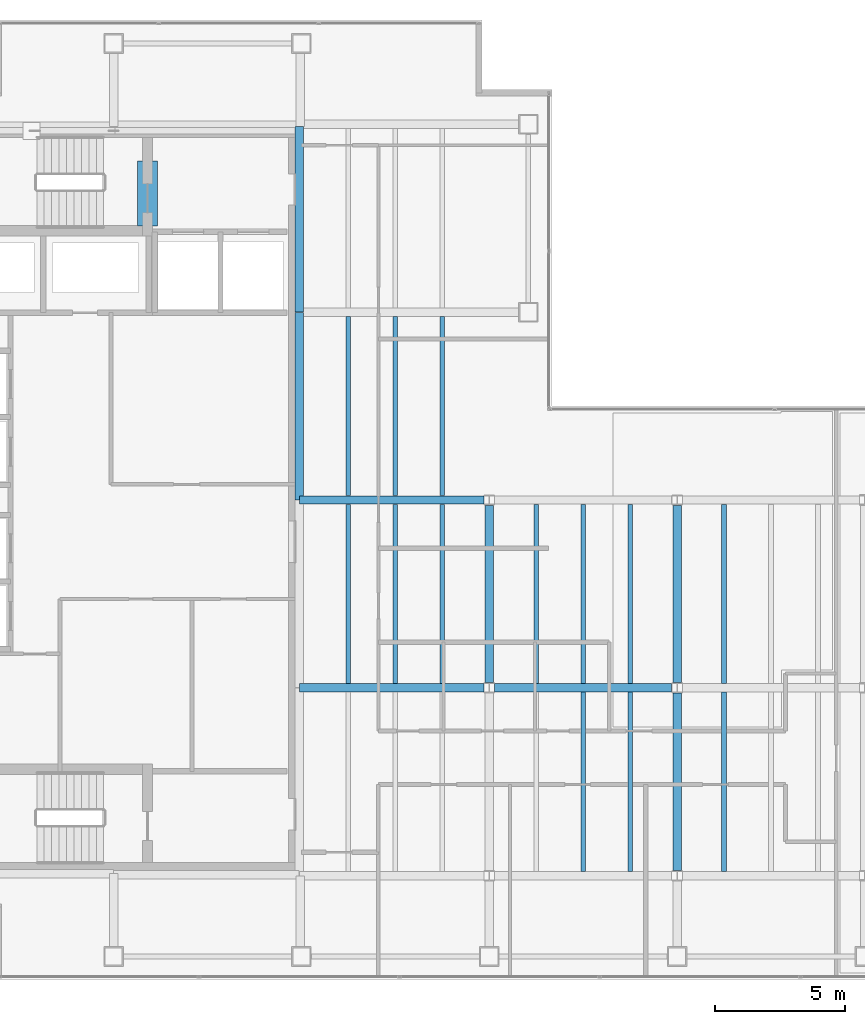
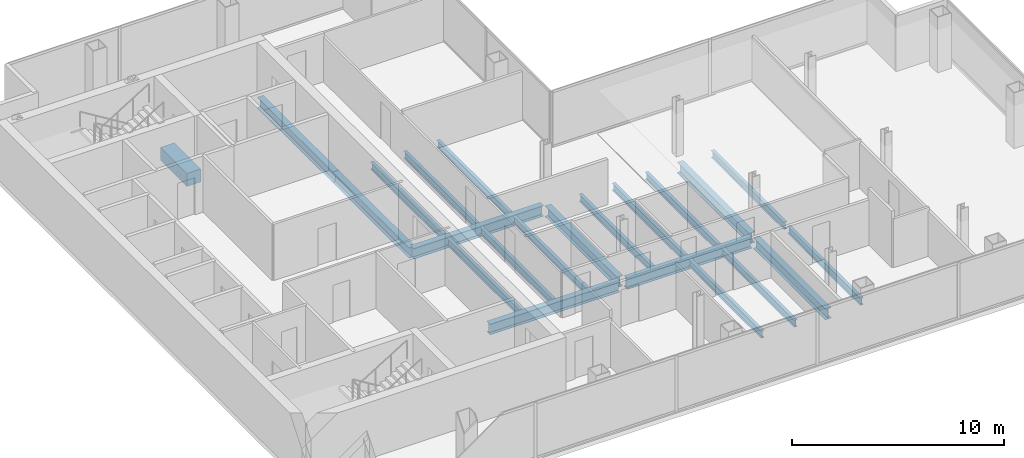
# One storey, part 7 of 23: 22 beams.
"""IFC4 building model written with IfcOpenShell, lengths in metres."""

from ifc_helpers import new_model, si_unit, direction, frame, origin, origin_2d, place, context, subcontext, project, spatial, rectangle, i_section, extrude, material, material_profile, profile_set, type_object, element, save


model = new_model("IFC4")

# Units and contexts
model_context = context("Model", 3, precision=1e-05, world=origin(), true_north=direction((0.0, 1.0)))
body_context = subcontext(model_context, "Body", "Model", "MODEL_VIEW")
ifc_project = project(units=[si_unit("LENGTHUNIT", "METRE"), si_unit("AREAUNIT", "SQUARE_METRE"), si_unit("VOLUMEUNIT", "CUBIC_METRE"), si_unit("PLANEANGLEUNIT", "RADIAN"), si_unit("MASSUNIT", "GRAM", prefix="KILO")], contexts=[model_context])

# Site, building, storey
site_placement = place(None, origin())
site = spatial("IfcSite", under=ifc_project, at=site_placement, CompositionType="ELEMENT")
building_placement = place(site_placement, origin())
building = spatial("IfcBuilding", under=site, at=building_placement, Name="Cobrela Telecom Tower", CompositionType="ELEMENT")
storey_placement = place(building_placement, frame((0.0, 0.0, 218.75)))
storey = spatial("IfcBuildingStorey", under=building, at=storey_placement, Name="L56", CompositionType="ELEMENT", Elevation=218.75)

# Beams
ifc_material_1 = material(Name="Concrete C40/50", Category="concrete")
ifc_material_profile_1 = material_profile(ifc_material_1, rectangle(XDim=0.75, YDim=0.75, at=origin_2d()), Name="RC 750x750")
ifc_profile_set_1 = profile_set([ifc_material_profile_1], Name="Concrete C40/50")
beam_type_1 = type_object("IfcBeamType", Name="BM-COUP-RC", PredefinedType="LINTEL", material=ifc_profile_set_1)
beam_1_placement = place(storey_placement, frame((8.5, 32.10009765625, -0.610107421875), z_axis=(0.0, 1.0, 0.0), x_axis=(-1.0, 0.0, 0.0)))
element("IfcBeam", 1, at=beam_1_placement, inside=storey, type_object=beam_type_1, Name="L56 Core Coupling Lintel Beam", PredefinedType="LINTEL", context=body_context, shape_type="SweptSolid", body=[
    extrude(rectangle(XDim=0.75, YDim=0.75, at=origin_2d()), origin(), (0.0, 0.0, 1.0), 2.5),
])
ifc_material_2 = material(Name="Steel ASTM A992 Grade 50", Category="steel")
ifc_material_profile_2 = material_profile(ifc_material_2, i_section(OverallWidth=0.324951171875, OverallDepth=0.612060546875, WebThickness=0.0126953125, FlangeThickness=0.01904296875, FilletRadius=0.014892578125, at=origin_2d()), Name="W24X104")
ifc_profile_set_2 = profile_set([ifc_material_profile_2], Name="Steel ASTM A992 Grade 50")
beam_type_2 = type_object("IfcBeamType", Name="BM-GIRD-07", PredefinedType="USERDEFINED", material=ifc_profile_set_2)
beam_2_placement = place(storey_placement, frame((14.324951171875, 14.39990234375, -0.56591796875), z_axis=(1.0, 0.0, 0.0), x_axis=(0.0, 1.0, 0.0)))
element("IfcBeam", 2, at=beam_2_placement, inside=storey, type_object=beam_type_2, Name="L56 Primary Girder X11", ObjectType="GIRDER", PredefinedType="USERDEFINED", context=body_context, shape_type="SweptSolid", body=[
    extrude(i_section(OverallWidth=0.324951171875, OverallDepth=0.612060546875, WebThickness=0.0126953125, FlangeThickness=0.01904296875, FilletRadius=0.014892578125, at=origin_2d()), origin(), (0.0, 0.0, 1.0), 7.070556640625),
])
beam_3_placement = place(storey_placement, frame((21.804443359375, 14.39990234375, -0.56591796875), z_axis=(1.0, 0.0, 0.0), x_axis=(0.0, 1.0, 0.0)))
element("IfcBeam", 3, at=beam_3_placement, inside=storey, type_object=beam_type_2, Name="L56 Primary Girder X12", ObjectType="GIRDER", PredefinedType="USERDEFINED", context=body_context, shape_type="SweptSolid", body=[
    extrude(i_section(OverallWidth=0.324951171875, OverallDepth=0.612060546875, WebThickness=0.0126953125, FlangeThickness=0.01904296875, FilletRadius=0.014892578125, at=origin_2d()), origin(), (0.0, 0.0, 1.0), 6.791015625),
])
beam_4_placement = place(storey_placement, frame((14.324951171875, 21.60009765625, -0.56591796875), z_axis=(1.0, 0.0, 0.0), x_axis=(0.0, 1.0, 0.0)))
element("IfcBeam", 4, at=beam_4_placement, inside=storey, type_object=beam_type_2, Name="L56 Primary Girder X15", ObjectType="GIRDER", PredefinedType="USERDEFINED", context=body_context, shape_type="SweptSolid", body=[
    extrude(i_section(OverallWidth=0.324951171875, OverallDepth=0.612060546875, WebThickness=0.0126953125, FlangeThickness=0.01904296875, FilletRadius=0.014892578125, at=origin_2d()), origin(), (0.0, 0.0, 1.0), 7.070556640625),
])
beam_5_placement = place(storey_placement, frame((14.320068359375, 21.60498046875, -0.56591796875), z_axis=(0.0, 1.0, 0.0), x_axis=(-1.0, 0.0, 0.0)))
element("IfcBeam", 5, at=beam_5_placement, inside=storey, type_object=beam_type_2, Name="L56 Primary Girder Y29", ObjectType="GIRDER", PredefinedType="USERDEFINED", context=body_context, shape_type="SweptSolid", body=[
    extrude(i_section(OverallWidth=0.324951171875, OverallDepth=0.612060546875, WebThickness=0.0126953125, FlangeThickness=0.01904296875, FilletRadius=0.014892578125, at=origin_2d()), origin(), (0.0, 0.0, 1.0), 7.18994140625),
])
beam_6_placement = place(storey_placement, frame((14.320068359375, 28.804931640625, -0.56591796875), z_axis=(0.0, 1.0, 0.0), x_axis=(-1.0, 0.0, 0.0)))
element("IfcBeam", 6, at=beam_6_placement, inside=storey, type_object=beam_type_2, Name="L56 Primary Girder Y30", ObjectType="GIRDER", PredefinedType="USERDEFINED", context=body_context, shape_type="SweptSolid", body=[
    extrude(i_section(OverallWidth=0.324951171875, OverallDepth=0.612060546875, WebThickness=0.0126953125, FlangeThickness=0.01904296875, FilletRadius=0.014892578125, at=origin_2d()), origin(), (0.0, 0.0, 1.0), 7.110107421875),
])
for number, where, z_axis, x_axis, name in (
    (7, (21.60009765625, 14.6044921875, -0.56591796875), (0.0, 1.0, 0.0), (-1.0, 0.0, 0.0), "L56 Primary Girder Y34"),
    (8, (28.800048828125, 7.404541015625, -0.56591796875), (0.0, 1.0, 0.0), (-1.0, 0.0, 0.0), "L56 Primary Girder Y37"),
    (9, (28.800048828125, 14.6044921875, -0.56591796875), (0.0, 1.0, 0.0), (-1.0, 0.0, 0.0), "L56 Primary Girder Y38"),
):
    element("IfcBeam", number, at=place(storey_placement, frame(where, z_axis=z_axis, x_axis=x_axis)), inside=storey, type_object=beam_type_2, Name=name, ObjectType="GIRDER", PredefinedType="USERDEFINED", context=body_context, shape_type="SweptSolid", body=[
        extrude(i_section(OverallWidth=0.324951171875, OverallDepth=0.612060546875, WebThickness=0.0126953125, FlangeThickness=0.01904296875, FilletRadius=0.014892578125, at=origin_2d()), origin(), (0.0, 0.0, 1.0), 6.791015625),
    ])
ifc_material_profile_3 = material_profile(ifc_material_2, i_section(OverallWidth=0.179931640625, OverallDepth=0.4169921875, WebThickness=0.010986328125, FlangeThickness=0.01806640625, FilletRadius=0.011962890625, at=origin_2d()), Name="W16X57")
ifc_profile_set_3 = profile_set([ifc_material_profile_3], Name="Steel ASTM A992 Grade 50")
beam_type_3 = type_object("IfcBeamType", Name="BM-JOIST-04", PredefinedType="JOIST", material=ifc_profile_set_3)
beam_7_placement = place(storey_placement, frame((16.199951171875, 14.5673828125, -0.468505859375), z_axis=(0.0, 1.0, 0.0), x_axis=(-1.0, 0.0, 0.0)))
element("IfcBeam", 10, at=beam_7_placement, inside=storey, type_object=beam_type_3, Name="L56 Secondary Composite Floor Beam J02", PredefinedType="JOIST", context=body_context, shape_type="SweptSolid", body=[
    extrude(i_section(OverallWidth=0.179931640625, OverallDepth=0.4169921875, WebThickness=0.010986328125, FlangeThickness=0.01806640625, FilletRadius=0.011962890625, at=origin_2d()), origin(), (0.0, 0.0, 1.0), 6.865234375),
])
beam_8_placement = place(storey_placement, frame((16.199951171875, 21.767578125, -0.468505859375), z_axis=(0.0, 1.0, 0.0), x_axis=(-1.0, 0.0, 0.0)))
element("IfcBeam", 11, at=beam_8_placement, inside=storey, type_object=beam_type_3, Name="L56 Secondary Composite Floor Beam J03", PredefinedType="JOIST", context=body_context, shape_type="SweptSolid", body=[
    extrude(i_section(OverallWidth=0.179931640625, OverallDepth=0.4169921875, WebThickness=0.010986328125, FlangeThickness=0.01806640625, FilletRadius=0.011962890625, at=origin_2d()), origin(), (0.0, 0.0, 1.0), 6.864990234375),
])
beam_9_placement = place(storey_placement, frame((18.0, 14.5673828125, -0.468505859375), z_axis=(0.0, 1.0, 0.0), x_axis=(-1.0, 0.0, 0.0)))
element("IfcBeam", 12, at=beam_9_placement, inside=storey, type_object=beam_type_3, Name="L56 Secondary Composite Floor Beam J06", PredefinedType="JOIST", context=body_context, shape_type="SweptSolid", body=[
    extrude(i_section(OverallWidth=0.179931640625, OverallDepth=0.4169921875, WebThickness=0.010986328125, FlangeThickness=0.01806640625, FilletRadius=0.011962890625, at=origin_2d()), origin(), (0.0, 0.0, 1.0), 6.865234375),
])
beam_10_placement = place(storey_placement, frame((18.0, 21.767578125, -0.468505859375), z_axis=(0.0, 1.0, 0.0), x_axis=(-1.0, 0.0, 0.0)))
element("IfcBeam", 13, at=beam_10_placement, inside=storey, type_object=beam_type_3, Name="L56 Secondary Composite Floor Beam J07", PredefinedType="JOIST", context=body_context, shape_type="SweptSolid", body=[
    extrude(i_section(OverallWidth=0.179931640625, OverallDepth=0.4169921875, WebThickness=0.010986328125, FlangeThickness=0.01806640625, FilletRadius=0.011962890625, at=origin_2d()), origin(), (0.0, 0.0, 1.0), 6.864990234375),
])
beam_11_placement = place(storey_placement, frame((19.800048828125, 14.5673828125, -0.468505859375), z_axis=(0.0, 1.0, 0.0), x_axis=(-1.0, 0.0, 0.0)))
element("IfcBeam", 14, at=beam_11_placement, inside=storey, type_object=beam_type_3, Name="L56 Secondary Composite Floor Beam J10", PredefinedType="JOIST", context=body_context, shape_type="SweptSolid", body=[
    extrude(i_section(OverallWidth=0.179931640625, OverallDepth=0.4169921875, WebThickness=0.010986328125, FlangeThickness=0.01806640625, FilletRadius=0.011962890625, at=origin_2d()), origin(), (0.0, 0.0, 1.0), 6.865234375),
])
beam_12_placement = place(storey_placement, frame((19.800048828125, 21.767578125, -0.468505859375), z_axis=(0.0, 1.0, 0.0), x_axis=(-1.0, 0.0, 0.0)))
element("IfcBeam", 15, at=beam_12_placement, inside=storey, type_object=beam_type_3, Name="L56 Secondary Composite Floor Beam J11", PredefinedType="JOIST", context=body_context, shape_type="SweptSolid", body=[
    extrude(i_section(OverallWidth=0.179931640625, OverallDepth=0.4169921875, WebThickness=0.010986328125, FlangeThickness=0.01806640625, FilletRadius=0.011962890625, at=origin_2d()), origin(), (0.0, 0.0, 1.0), 6.864990234375),
])
beam_13_placement = place(storey_placement, frame((23.39990234375, 14.5673828125, -0.468505859375), z_axis=(0.0, 1.0, 0.0), x_axis=(-1.0, 0.0, 0.0)))
element("IfcBeam", 16, at=beam_13_placement, inside=storey, type_object=beam_type_3, Name="L56 Secondary Composite Floor Beam J14", PredefinedType="JOIST", context=body_context, shape_type="SweptSolid", body=[
    extrude(i_section(OverallWidth=0.179931640625, OverallDepth=0.4169921875, WebThickness=0.010986328125, FlangeThickness=0.01806640625, FilletRadius=0.011962890625, at=origin_2d()), origin(), (0.0, 0.0, 1.0), 6.865234375),
])
beam_14_placement = place(storey_placement, frame((25.199951171875, 7.367431640625, -0.468505859375), z_axis=(0.0, 1.0, 0.0), x_axis=(-1.0, 0.0, 0.0)))
element("IfcBeam", 17, at=beam_14_placement, inside=storey, type_object=beam_type_3, Name="L56 Secondary Composite Floor Beam J15", PredefinedType="JOIST", context=body_context, shape_type="SweptSolid", body=[
    extrude(i_section(OverallWidth=0.179931640625, OverallDepth=0.4169921875, WebThickness=0.010986328125, FlangeThickness=0.01806640625, FilletRadius=0.011962890625, at=origin_2d()), origin(), (0.0, 0.0, 1.0), 6.864990234375),
])
beam_15_placement = place(storey_placement, frame((25.199951171875, 14.5673828125, -0.468505859375), z_axis=(0.0, 1.0, 0.0), x_axis=(-1.0, 0.0, 0.0)))
element("IfcBeam", 18, at=beam_15_placement, inside=storey, type_object=beam_type_3, Name="L56 Secondary Composite Floor Beam J16", PredefinedType="JOIST", context=body_context, shape_type="SweptSolid", body=[
    extrude(i_section(OverallWidth=0.179931640625, OverallDepth=0.4169921875, WebThickness=0.010986328125, FlangeThickness=0.01806640625, FilletRadius=0.011962890625, at=origin_2d()), origin(), (0.0, 0.0, 1.0), 6.865234375),
])
beam_16_placement = place(storey_placement, frame((27.0, 7.367431640625, -0.468505859375), z_axis=(0.0, 1.0, 0.0), x_axis=(-1.0, 0.0, 0.0)))
element("IfcBeam", 19, at=beam_16_placement, inside=storey, type_object=beam_type_3, Name="L56 Secondary Composite Floor Beam J17", PredefinedType="JOIST", context=body_context, shape_type="SweptSolid", body=[
    extrude(i_section(OverallWidth=0.179931640625, OverallDepth=0.4169921875, WebThickness=0.010986328125, FlangeThickness=0.01806640625, FilletRadius=0.011962890625, at=origin_2d()), origin(), (0.0, 0.0, 1.0), 6.864990234375),
])
beam_17_placement = place(storey_placement, frame((27.0, 14.5673828125, -0.468505859375), z_axis=(0.0, 1.0, 0.0), x_axis=(-1.0, 0.0, 0.0)))
element("IfcBeam", 20, at=beam_17_placement, inside=storey, type_object=beam_type_3, Name="L56 Secondary Composite Floor Beam J18", PredefinedType="JOIST", context=body_context, shape_type="SweptSolid", body=[
    extrude(i_section(OverallWidth=0.179931640625, OverallDepth=0.4169921875, WebThickness=0.010986328125, FlangeThickness=0.01806640625, FilletRadius=0.011962890625, at=origin_2d()), origin(), (0.0, 0.0, 1.0), 6.865234375),
])
beam_18_placement = place(storey_placement, frame((30.60009765625, 7.367431640625, -0.468505859375), z_axis=(0.0, 1.0, 0.0), x_axis=(-1.0, 0.0, 0.0)))
element("IfcBeam", 21, at=beam_18_placement, inside=storey, type_object=beam_type_3, Name="L56 Secondary Composite Floor Beam J19", PredefinedType="JOIST", context=body_context, shape_type="SweptSolid", body=[
    extrude(i_section(OverallWidth=0.179931640625, OverallDepth=0.4169921875, WebThickness=0.010986328125, FlangeThickness=0.01806640625, FilletRadius=0.011962890625, at=origin_2d()), origin(), (0.0, 0.0, 1.0), 6.864990234375),
])
beam_19_placement = place(storey_placement, frame((30.60009765625, 14.5673828125, -0.468505859375), z_axis=(0.0, 1.0, 0.0), x_axis=(-1.0, 0.0, 0.0)))
element("IfcBeam", 22, at=beam_19_placement, inside=storey, type_object=beam_type_3, Name="L56 Secondary Composite Floor Beam J20", PredefinedType="JOIST", context=body_context, shape_type="SweptSolid", body=[
    extrude(i_section(OverallWidth=0.179931640625, OverallDepth=0.4169921875, WebThickness=0.010986328125, FlangeThickness=0.01806640625, FilletRadius=0.011962890625, at=origin_2d()), origin(), (0.0, 0.0, 1.0), 6.865234375),
])

save(model, "model.ifc")
